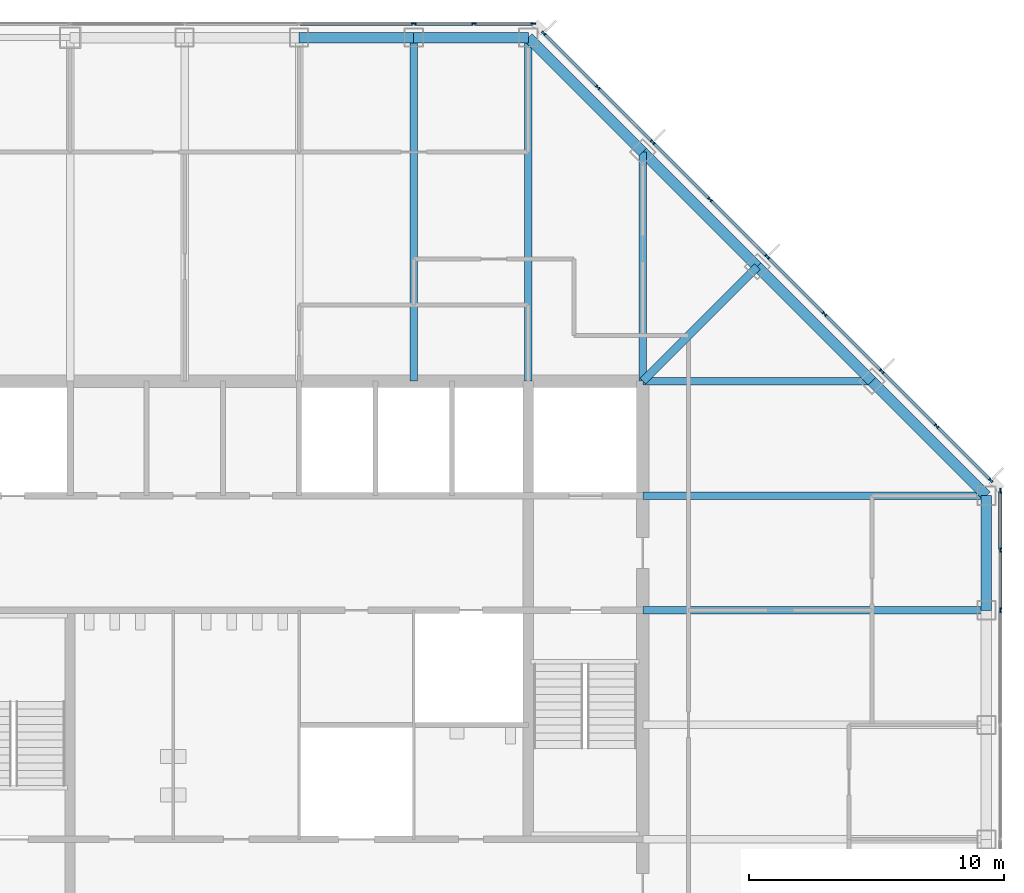
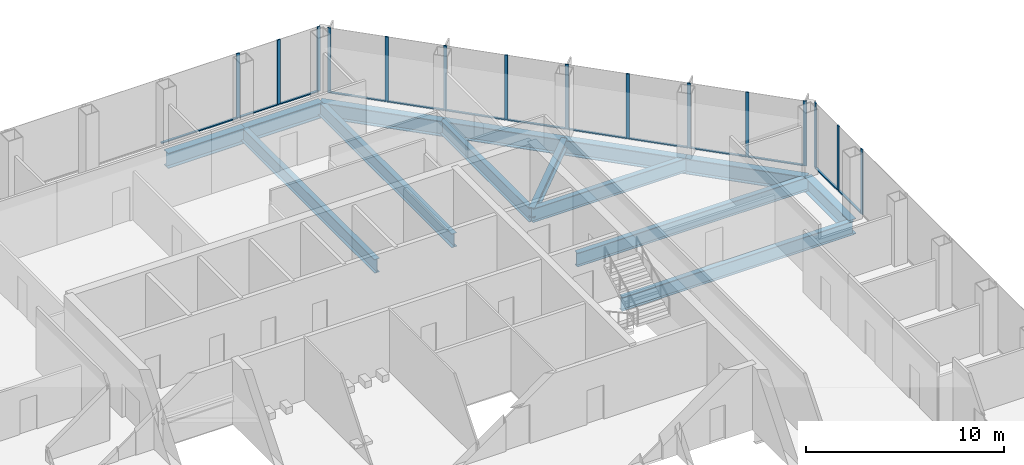
# One storey, part 6 of 13: 28 members, 14 beams, 3 elements without a shape of their own.
"""IFC4 building model written with IfcOpenShell, lengths in metres."""

from ifc_helpers import new_model, si_unit, direction, frame, origin, origin_2d, place, context, subcontext, project, spatial, rectangle, i_section, extrude, material, material_profile, profile_set, type_object, element, aggregate, save


model = new_model("IFC4")

# Units and contexts
model_context = context("Model", 3, precision=1e-05, world=origin(), true_north=direction((0.0, 1.0)))
body_context = subcontext(model_context, "Body", "Model", "MODEL_VIEW")
ifc_project = project(units=[si_unit("LENGTHUNIT", "METRE"), si_unit("AREAUNIT", "SQUARE_METRE"), si_unit("VOLUMEUNIT", "CUBIC_METRE"), si_unit("PLANEANGLEUNIT", "RADIAN"), si_unit("MASSUNIT", "GRAM", prefix="KILO")], contexts=[model_context])

# Site, building, storey
site_placement = place(None, origin())
site = spatial("IfcSite", under=ifc_project, at=site_placement, CompositionType="ELEMENT")
building_placement = place(site_placement, origin())
building = spatial("IfcBuilding", under=site, at=building_placement, Name="Corais Broadcast Tower", CompositionType="ELEMENT")
storey_placement = place(building_placement, frame((0.0, 0.0, 191.60009765625)))
storey = spatial("IfcBuildingStorey", under=building, at=storey_placement, Name="L44", CompositionType="ELEMENT", Elevation=191.60009765625)

# Beams
ifc_material_1 = material(Name="Steel ASTM A572 Grade 50", Category="steel")
ifc_material_profile_1 = material_profile(ifc_material_1, i_section(OverallWidth=0.323974609375, OverallDepth=0.611083984375, WebThickness=0.0126953125, FlangeThickness=0.01904296875, at=origin_2d()), Name="W610x155")
ifc_profile_set_1 = profile_set([ifc_material_profile_1], Name="Steel ASTM A572 Grade 50")
beam_type_1 = type_object("IfcBeamType", Name="Corner diagonal W610x155", PredefinedType="BEAM", material=ifc_profile_set_1)
beam_1_placement = place(storey_placement, frame((45.0, 45.0, -0.465576171875), z_axis=(-0.707106781187, -0.707106781187, 0.0), x_axis=(0.707106781187, -0.707106781187, 0.0)))
element("IfcBeam", 1, at=beam_1_placement, inside=storey, type_object=beam_type_1, Name="B6 L/13 to K/12", PredefinedType="BEAM", context=body_context, shape_type="SweptSolid", body=[
    extrude(i_section(OverallWidth=0.323974609375, OverallDepth=0.611083984375, WebThickness=0.0126953125, FlangeThickness=0.01904296875, at=origin_2d()), origin(), (0.0, 0.0, 1.0), 6.364013671875),
])
ifc_material_2 = material(Name="Steel ASTM A572 Grade 50", Category="steel")
ifc_material_profile_2 = material_profile(ifc_material_2, i_section(OverallWidth=0.2939453125, OverallDepth=0.85107421875, WebThickness=0.01611328125, FlangeThickness=0.02685546875, at=origin_2d()), Name="W840x226")
ifc_profile_set_2 = profile_set([ifc_material_profile_2], Name="Steel ASTM A572 Grade 50")
beam_type_2 = type_object("IfcBeamType", Name="Floor beam W840x226", PredefinedType="BEAM", material=ifc_profile_set_2)
for number, where, z_axis, x_axis, name in (
    (2, (31.5, 54.0, -0.585693359375), (0.0, -1.0, 0.0), (1.0, 0.0, 0.0), "B1 N/10 to K/10"),
    (3, (36.0, 54.0, -0.585693359375), (0.0, -1.0, 0.0), (1.0, 0.0, 0.0), "B1 N/11 to K/11"),
):
    element("IfcBeam", number, at=place(storey_placement, frame(where, z_axis=z_axis, x_axis=x_axis)), inside=storey, type_object=beam_type_2, Name=name, PredefinedType="BEAM", context=body_context, shape_type="SweptSolid", body=[
        extrude(i_section(OverallWidth=0.2939453125, OverallDepth=0.85107421875, WebThickness=0.01611328125, FlangeThickness=0.02685546875, at=origin_2d()), origin(), (0.0, 0.0, 1.0), 13.5),
    ])
for number, where, z_axis, x_axis, name in (
    (4, (40.5, 49.5, -0.585693359375), (0.0, -1.0, 0.0), (1.0, 0.0, 0.0), "B1 M/12 to K/12"),
    (5, (49.5, 40.5, -0.585693359375), (-1.0, 0.0, 0.0), (0.0, -1.0, 0.0), "B1 K/14 to K/12"),
):
    element("IfcBeam", number, at=place(storey_placement, frame(where, z_axis=z_axis, x_axis=x_axis)), inside=storey, type_object=beam_type_2, Name=name, PredefinedType="BEAM", context=body_context, shape_type="SweptSolid", body=[
        extrude(i_section(OverallWidth=0.2939453125, OverallDepth=0.85107421875, WebThickness=0.01611328125, FlangeThickness=0.02685546875, at=origin_2d()), origin(), (0.0, 0.0, 1.0), 9.0),
    ])
for number, where, z_axis, x_axis, name in (
    (6, (54.0, 31.5, -0.585693359375), (-1.0, 0.0, 0.0), (0.0, -1.0, 0.0), "B1 H/15 to H/12"),
    (7, (54.0, 36.0, -0.585693359375), (-1.0, 0.0, 0.0), (0.0, -1.0, 0.0), "B1 J/15 to J/12"),
):
    element("IfcBeam", number, at=place(storey_placement, frame(where, z_axis=z_axis, x_axis=x_axis)), inside=storey, type_object=beam_type_2, Name=name, PredefinedType="BEAM", context=body_context, shape_type="SweptSolid", body=[
        extrude(i_section(OverallWidth=0.2939453125, OverallDepth=0.85107421875, WebThickness=0.01611328125, FlangeThickness=0.02685546875, at=origin_2d()), origin(), (0.0, 0.0, 1.0), 13.5),
    ])

# Curtain wall, members
ifc_material_3 = material(Name="Aluminium and glass", Category="aluminium")
curtain_wall_type = type_object("IfcCurtainWallType", Name="Unitised fritted curtain wall CW2", PredefinedType="NOTDEFINED", material=ifc_material_3)
curtain_wall_1_placement = place(storey_placement, origin())
curtain_wall_1 = element("IfcCurtainWall", 8, at=curtain_wall_1_placement, inside=storey, type_object=curtain_wall_type, Name="CW2 curtain wall L44 4", PredefinedType="NOTDEFINED")
ifc_material_4 = material(Name="Aluminium 6063-T6", Category="aluminium")
ifc_material_profile_3 = material_profile(ifc_material_4, rectangle(XDim=0.06494140625, YDim=0.179931640625, at=origin_2d()), Name="Mullion CW2 65x180")
ifc_profile_set_3 = profile_set([ifc_material_profile_3], Name="Aluminium 6063-T6")
member_type_1 = type_object("IfcMemberType", Name="Mullion CW2 65x180", PredefinedType="MULLION", material=ifc_profile_set_3)
member_1_placement = place(storey_placement, frame((31.5, 54.550048828125, 0.0), z_axis=(0.0, 0.0, 1.0), x_axis=(0.0, 1.0, 0.0)))
member_1 = element("IfcMember", 9, at=member_1_placement, type_object=member_type_1, Name="CW2 mullion 7", PredefinedType="MULLION", context=body_context, shape_type="SweptSolid", body=[
    extrude(rectangle(XDim=0.06494140625, YDim=0.179931640625, at=origin_2d()), origin(), (0.0, 0.0, 1.0), 4.0),
])
member_2_placement = place(storey_placement, frame((33.864013671875, 54.550048828125, 0.0), z_axis=(0.0, 0.0, 1.0), x_axis=(0.0, 1.0, 0.0)))
member_2 = element("IfcMember", 10, at=member_2_placement, type_object=member_type_1, Name="CW2 mullion 8", PredefinedType="MULLION", context=body_context, shape_type="SweptSolid", body=[
    extrude(rectangle(XDim=0.06494140625, YDim=0.179931640625, at=origin_2d()), origin(), (0.0, 0.0, 1.0), 4.0),
])
member_3_placement = place(storey_placement, frame((36.1953125, 54.550048828125, 0.0), z_axis=(0.0, 0.0, 1.0), x_axis=(0.0, 1.0, 0.0)))
member_3 = element("IfcMember", 11, at=member_3_placement, type_object=member_type_1, Name="CW2 mullion 9", PredefinedType="MULLION", context=body_context, shape_type="SweptSolid", body=[
    extrude(rectangle(XDim=0.06494140625, YDim=0.179931640625, at=origin_2d()), origin(), (0.0, 0.0, 1.0), 4.0),
])

curtain_wall_2_placement = place(storey_placement, origin())
curtain_wall_2 = element("IfcCurtainWall", 12, at=curtain_wall_2_placement, inside=storey, type_object=curtain_wall_type, Name="CW2 curtain wall L44 5", PredefinedType="NOTDEFINED")
member_4_placement = place(storey_placement, frame((36.6044921875, 54.17333984375, 0.0), z_axis=(0.0, 0.0, 1.0), x_axis=(0.707106781187, 0.707106781187, 0.0)))
member_4 = element("IfcMember", 13, at=member_4_placement, type_object=member_type_1, Name="CW2 mullion 1", PredefinedType="MULLION", context=body_context, shape_type="SweptSolid", body=[
    extrude(rectangle(XDim=0.06494140625, YDim=0.179931640625, at=origin_2d()), origin(), (0.0, 0.0, 1.0), 4.0),
])
member_5_placement = place(storey_placement, frame((38.735107421875, 52.042724609375, 0.0), z_axis=(0.0, 0.0, 1.0), x_axis=(0.707106781187, 0.707106781187, 0.0)))
member_5 = element("IfcMember", 14, at=member_5_placement, type_object=member_type_1, Name="CW2 mullion 2", PredefinedType="MULLION", context=body_context, shape_type="SweptSolid", body=[
    extrude(rectangle(XDim=0.06494140625, YDim=0.179931640625, at=origin_2d()), origin(), (0.0, 0.0, 1.0), 4.0),
])
member_6_placement = place(storey_placement, frame((40.888916015625, 49.888916015625, 0.0), z_axis=(0.0, 0.0, 1.0), x_axis=(0.707106781187, 0.707106781187, 0.0)))
member_6 = element("IfcMember", 15, at=member_6_placement, type_object=member_type_1, Name="CW2 mullion 3", PredefinedType="MULLION", context=body_context, shape_type="SweptSolid", body=[
    extrude(rectangle(XDim=0.06494140625, YDim=0.179931640625, at=origin_2d()), origin(), (0.0, 0.0, 1.0), 4.0),
])
member_7_placement = place(storey_placement, frame((43.138916015625, 47.638916015625, 0.0), z_axis=(0.0, 0.0, 1.0), x_axis=(0.707106781187, 0.707106781187, 0.0)))
member_7 = element("IfcMember", 16, at=member_7_placement, type_object=member_type_1, Name="CW2 mullion 4", PredefinedType="MULLION", context=body_context, shape_type="SweptSolid", body=[
    extrude(rectangle(XDim=0.06494140625, YDim=0.179931640625, at=origin_2d()), origin(), (0.0, 0.0, 1.0), 4.0),
])
member_8_placement = place(storey_placement, frame((45.388916015625, 45.388916015625, 0.0), z_axis=(0.0, 0.0, 1.0), x_axis=(0.707106781187, 0.707106781187, 0.0)))
member_8 = element("IfcMember", 17, at=member_8_placement, type_object=member_type_1, Name="CW2 mullion 5", PredefinedType="MULLION", context=body_context, shape_type="SweptSolid", body=[
    extrude(rectangle(XDim=0.06494140625, YDim=0.179931640625, at=origin_2d()), origin(), (0.0, 0.0, 1.0), 4.0),
])
member_9_placement = place(storey_placement, frame((47.638916015625, 43.138916015625, 0.0), z_axis=(0.0, 0.0, 1.0), x_axis=(0.707106781187, 0.707106781187, 0.0)))
member_9 = element("IfcMember", 18, at=member_9_placement, type_object=member_type_1, Name="CW2 mullion 6", PredefinedType="MULLION", context=body_context, shape_type="SweptSolid", body=[
    extrude(rectangle(XDim=0.06494140625, YDim=0.179931640625, at=origin_2d()), origin(), (0.0, 0.0, 1.0), 4.0),
])
member_10_placement = place(storey_placement, frame((49.888916015625, 40.888916015625, 0.0), z_axis=(0.0, 0.0, 1.0), x_axis=(0.707106781187, 0.707106781187, 0.0)))
member_10 = element("IfcMember", 19, at=member_10_placement, type_object=member_type_1, Name="CW2 mullion 7", PredefinedType="MULLION", context=body_context, shape_type="SweptSolid", body=[
    extrude(rectangle(XDim=0.06494140625, YDim=0.179931640625, at=origin_2d()), origin(), (0.0, 0.0, 1.0), 4.0),
])
member_11_placement = place(storey_placement, frame((52.042724609375, 38.735107421875, 0.0), z_axis=(0.0, 0.0, 1.0), x_axis=(0.707106781187, 0.707106781187, 0.0)))
member_11 = element("IfcMember", 20, at=member_11_placement, type_object=member_type_1, Name="CW2 mullion 8", PredefinedType="MULLION", context=body_context, shape_type="SweptSolid", body=[
    extrude(rectangle(XDim=0.06494140625, YDim=0.179931640625, at=origin_2d()), origin(), (0.0, 0.0, 1.0), 4.0),
])
member_12_placement = place(storey_placement, frame((54.17333984375, 36.6044921875, 0.0), z_axis=(0.0, 0.0, 1.0), x_axis=(0.707106781187, 0.707106781187, 0.0)))
member_12 = element("IfcMember", 21, at=member_12_placement, type_object=member_type_1, Name="CW2 mullion 9", PredefinedType="MULLION", context=body_context, shape_type="SweptSolid", body=[
    extrude(rectangle(XDim=0.06494140625, YDim=0.179931640625, at=origin_2d()), origin(), (0.0, 0.0, 1.0), 4.0),
])

curtain_wall_3_placement = place(storey_placement, origin())
curtain_wall_3 = element("IfcCurtainWall", 22, at=curtain_wall_3_placement, inside=storey, type_object=curtain_wall_type, Name="CW2 curtain wall L44 6", PredefinedType="NOTDEFINED")
member_13_placement = place(storey_placement, frame((54.550048828125, 36.1953125, 0.0), z_axis=(0.0, 0.0, 1.0), x_axis=(1.0, 0.0, 0.0)))
member_13 = element("IfcMember", 23, at=member_13_placement, type_object=member_type_1, Name="CW2 mullion 1", PredefinedType="MULLION", context=body_context, shape_type="SweptSolid", body=[
    extrude(rectangle(XDim=0.06494140625, YDim=0.179931640625, at=origin_2d()), origin(), (0.0, 0.0, 1.0), 4.0),
])
member_14_placement = place(storey_placement, frame((54.550048828125, 33.864013671875, 0.0), z_axis=(0.0, 0.0, 1.0), x_axis=(1.0, 0.0, 0.0)))
member_14 = element("IfcMember", 24, at=member_14_placement, type_object=member_type_1, Name="CW2 mullion 2", PredefinedType="MULLION", context=body_context, shape_type="SweptSolid", body=[
    extrude(rectangle(XDim=0.06494140625, YDim=0.179931640625, at=origin_2d()), origin(), (0.0, 0.0, 1.0), 4.0),
])
member_15_placement = place(storey_placement, frame((54.550048828125, 31.5, 0.0), z_axis=(0.0, 0.0, 1.0), x_axis=(1.0, 0.0, 0.0)))
member_15 = element("IfcMember", 25, at=member_15_placement, type_object=member_type_1, Name="CW2 mullion 3", PredefinedType="MULLION", context=body_context, shape_type="SweptSolid", body=[
    extrude(rectangle(XDim=0.06494140625, YDim=0.179931640625, at=origin_2d()), origin(), (0.0, 0.0, 1.0), 4.0),
])

# Beams
ifc_material_5 = material(Name="Steel ASTM A572 Grade 50", Category="steel")
ifc_material_profile_4 = material_profile(ifc_material_5, i_section(OverallWidth=0.4189453125, OverallDepth=0.94189453125, WebThickness=0.022216796875, FlangeThickness=0.03662109375, at=origin_2d()), Name="W920x345")
ifc_profile_set_4 = profile_set([ifc_material_profile_4], Name="Steel ASTM A572 Grade 50")
beam_type_3 = type_object("IfcBeamType", Name="Transfer spandrel W920x345", PredefinedType="BEAM", material=ifc_profile_set_4)
for number, where, z_axis, x_axis, name in (
    (26, (31.5, 54.0, -0.631103515625), (-1.0, 0.0, 0.0), (0.0, -1.0, 0.0), "SB4 N/10 to N/9"),
    (27, (36.0, 54.0, -0.631103515625), (-1.0, 0.0, 0.0), (0.0, -1.0, 0.0), "SB4 N/11 to N/10"),
):
    element("IfcBeam", number, at=place(storey_placement, frame(where, z_axis=z_axis, x_axis=x_axis)), inside=storey, type_object=beam_type_3, Name=name, PredefinedType="BEAM", context=body_context, shape_type="SweptSolid", body=[
        extrude(i_section(OverallWidth=0.4189453125, OverallDepth=0.94189453125, WebThickness=0.022216796875, FlangeThickness=0.03662109375, at=origin_2d()), origin(), (0.0, 0.0, 1.0), 4.5),
    ])
for number, where, z_axis, x_axis, name in (
    (28, (40.5, 49.5, -0.631103515625), (-0.707106781187, 0.707106781187, 0.0), (-0.707106781187, -0.707106781187, 0.0), "SB4 M/12 to N/11"),
    (29, (45.0, 45.0, -0.631103515625), (-0.707106781187, 0.707106781187, 0.0), (-0.707106781187, -0.707106781187, 0.0), "SB4 L/13 to M/12"),
    (30, (49.5, 40.5, -0.631103515625), (-0.707106781187, 0.707106781187, 0.0), (-0.707106781187, -0.707106781187, 0.0), "SB4 K/14 to L/13"),
):
    element("IfcBeam", number, at=place(storey_placement, frame(where, z_axis=z_axis, x_axis=x_axis)), inside=storey, type_object=beam_type_3, Name=name, PredefinedType="BEAM", context=body_context, shape_type="SweptSolid", body=[
        extrude(i_section(OverallWidth=0.4189453125, OverallDepth=0.94189453125, WebThickness=0.022216796875, FlangeThickness=0.03662109375, at=origin_2d()), origin(), (0.0, 0.0, 1.0), 6.364013671875),
    ])
beam_2_placement = place(storey_placement, frame((54.0, 31.5, -0.631103515625), z_axis=(0.0, 1.0, 0.0), x_axis=(-1.0, 0.0, 0.0)))
element("IfcBeam", 31, at=beam_2_placement, inside=storey, type_object=beam_type_3, Name="SB4 H/15 to J/15", PredefinedType="BEAM", context=body_context, shape_type="SweptSolid", body=[
    extrude(i_section(OverallWidth=0.4189453125, OverallDepth=0.94189453125, WebThickness=0.022216796875, FlangeThickness=0.03662109375, at=origin_2d()), origin(), (0.0, 0.0, 1.0), 4.5),
])
beam_3_placement = place(storey_placement, frame((54.0, 36.0, -0.631103515625), z_axis=(-0.707106781187, 0.707106781187, 0.0), x_axis=(-0.707106781187, -0.707106781187, 0.0)))
element("IfcBeam", 32, at=beam_3_placement, inside=storey, type_object=beam_type_3, Name="SB4 J/15 to K/14", PredefinedType="BEAM", context=body_context, shape_type="SweptSolid", body=[
    extrude(i_section(OverallWidth=0.4189453125, OverallDepth=0.94189453125, WebThickness=0.022216796875, FlangeThickness=0.03662109375, at=origin_2d()), origin(), (0.0, 0.0, 1.0), 6.364013671875),
])

# Member
ifc_material_6 = material(Name="Aluminium 6063-T6", Category="aluminium")
ifc_material_profile_5 = material_profile(ifc_material_6, rectangle(XDim=0.1298828125, YDim=0.06494140625, at=origin_2d()), Name="Transom CW2 65x130")
ifc_profile_set_5 = profile_set([ifc_material_profile_5], Name="Aluminium 6063-T6")
member_type_2 = type_object("IfcMemberType", Name="Transom CW2 65x130", PredefinedType="USERDEFINED", material=ifc_profile_set_5)
member_16_placement = place(storey_placement, frame((27.032470703125, 54.550048828125, 0.032470703125), z_axis=(1.0, 0.0, 0.0), x_axis=(0.0, 1.0, 0.0)))
member_16 = element("IfcMember", 33, at=member_16_placement, type_object=member_type_2, Name="CW2 transom 6.1", ObjectType="TRANSOM", PredefinedType="USERDEFINED", context=body_context, shape_type="SweptSolid", body=[
    extrude(rectangle(XDim=0.1298828125, YDim=0.06494140625, at=origin_2d()), origin(), (0.0, 0.0, 1.0), 4.43505859375),
])

member_17_placement = place(storey_placement, frame((31.532470703125, 54.550048828125, 0.032470703125), z_axis=(1.0, 0.0, 0.0), x_axis=(0.0, 1.0, 0.0)))
member_17 = element("IfcMember", 34, at=member_17_placement, type_object=member_type_2, Name="CW2 transom 7.1", ObjectType="TRANSOM", PredefinedType="USERDEFINED", context=body_context, shape_type="SweptSolid", body=[
    extrude(rectangle(XDim=0.1298828125, YDim=0.06494140625, at=origin_2d()), origin(), (0.0, 0.0, 1.0), 2.298828125),
])

member_18_placement = place(storey_placement, frame((33.896484375, 54.550048828125, 0.032470703125), z_axis=(1.0, 0.0, 0.0), x_axis=(0.0, 1.0, 0.0)))
member_18 = element("IfcMember", 35, at=member_18_placement, type_object=member_type_2, Name="CW2 transom 8.1", ObjectType="TRANSOM", PredefinedType="USERDEFINED", context=body_context, shape_type="SweptSolid", body=[
    extrude(rectangle(XDim=0.1298828125, YDim=0.06494140625, at=origin_2d()), origin(), (0.0, 0.0, 1.0), 2.266357421875),
])

aggregate(curtain_wall_1, [member_1, member_2, member_3, member_16, member_17, member_18])

member_19_placement = place(storey_placement, frame((36.62744140625, 54.150390625, 0.032470703125), z_axis=(0.707106781187, -0.707106781187, 0.0), x_axis=(0.707106781187, 0.707106781187, 0.0)))
member_19 = element("IfcMember", 36, at=member_19_placement, type_object=member_type_2, Name="CW2 transom 1.1", ObjectType="TRANSOM", PredefinedType="USERDEFINED", context=body_context, shape_type="SweptSolid", body=[
    extrude(rectangle(XDim=0.1298828125, YDim=0.06494140625, at=origin_2d()), origin(), (0.0, 0.0, 1.0), 2.9482421875),
])

member_20_placement = place(storey_placement, frame((38.758056640625, 52.019775390625, 0.032470703125), z_axis=(0.707106781187, -0.707106781187, 0.0), x_axis=(0.707106781187, 0.707106781187, 0.0)))
member_20 = element("IfcMember", 37, at=member_20_placement, type_object=member_type_2, Name="CW2 transom 2.1", ObjectType="TRANSOM", PredefinedType="USERDEFINED", context=body_context, shape_type="SweptSolid", body=[
    extrude(rectangle(XDim=0.1298828125, YDim=0.06494140625, at=origin_2d()), origin(), (0.0, 0.0, 1.0), 2.98095703125),
])

member_21_placement = place(storey_placement, frame((40.911865234375, 49.865966796875, 0.032470703125), z_axis=(0.707106781187, -0.707106781187, 0.0), x_axis=(0.707106781187, 0.707106781187, 0.0)))
member_21 = element("IfcMember", 38, at=member_21_placement, type_object=member_type_2, Name="CW2 transom 3.1", ObjectType="TRANSOM", PredefinedType="USERDEFINED", context=body_context, shape_type="SweptSolid", body=[
    extrude(rectangle(XDim=0.1298828125, YDim=0.06494140625, at=origin_2d()), origin(), (0.0, 0.0, 1.0), 3.1171875),
])

member_22_placement = place(storey_placement, frame((43.161865234375, 47.615966796875, 0.032470703125), z_axis=(0.707106781187, -0.707106781187, 0.0), x_axis=(0.707106781187, 0.707106781187, 0.0)))
member_22 = element("IfcMember", 39, at=member_22_placement, type_object=member_type_2, Name="CW2 transom 4.1", ObjectType="TRANSOM", PredefinedType="USERDEFINED", context=body_context, shape_type="SweptSolid", body=[
    extrude(rectangle(XDim=0.1298828125, YDim=0.06494140625, at=origin_2d()), origin(), (0.0, 0.0, 1.0), 3.1171875),
])

member_23_placement = place(storey_placement, frame((45.411865234375, 45.365966796875, 0.032470703125), z_axis=(0.707106781187, -0.707106781187, 0.0), x_axis=(0.707106781187, 0.707106781187, 0.0)))
member_23 = element("IfcMember", 40, at=member_23_placement, type_object=member_type_2, Name="CW2 transom 5.1", ObjectType="TRANSOM", PredefinedType="USERDEFINED", context=body_context, shape_type="SweptSolid", body=[
    extrude(rectangle(XDim=0.1298828125, YDim=0.06494140625, at=origin_2d()), origin(), (0.0, 0.0, 1.0), 3.1171875),
])

member_24_placement = place(storey_placement, frame((47.661865234375, 43.115966796875, 0.032470703125), z_axis=(0.707106781187, -0.707106781187, 0.0), x_axis=(0.707106781187, 0.707106781187, 0.0)))
member_24 = element("IfcMember", 41, at=member_24_placement, type_object=member_type_2, Name="CW2 transom 6.1", ObjectType="TRANSOM", PredefinedType="USERDEFINED", context=body_context, shape_type="SweptSolid", body=[
    extrude(rectangle(XDim=0.1298828125, YDim=0.06494140625, at=origin_2d()), origin(), (0.0, 0.0, 1.0), 3.1171875),
])

member_25_placement = place(storey_placement, frame((49.911865234375, 40.865966796875, 0.032470703125), z_axis=(0.707065828661, -0.70714773134, 0.0), x_axis=(0.70714773134, 0.707065828661, 0.0)))
member_25 = element("IfcMember", 42, at=member_25_placement, type_object=member_type_2, Name="CW2 transom 7.1", ObjectType="TRANSOM", PredefinedType="USERDEFINED", context=body_context, shape_type="SweptSolid", body=[
    extrude(rectangle(XDim=0.1298828125, YDim=0.06494140625, at=origin_2d()), origin(), (0.0, 0.0, 1.0), 2.98095703125),
])

member_26_placement = place(storey_placement, frame((52.065673828125, 38.712158203125, 0.032470703125), z_axis=(0.707106781187, -0.707106781187, 0.0), x_axis=(0.707106781187, 0.707106781187, 0.0)))
member_26 = element("IfcMember", 43, at=member_26_placement, type_object=member_type_2, Name="CW2 transom 8.1", ObjectType="TRANSOM", PredefinedType="USERDEFINED", context=body_context, shape_type="SweptSolid", body=[
    extrude(rectangle(XDim=0.1298828125, YDim=0.06494140625, at=origin_2d()), origin(), (0.0, 0.0, 1.0), 2.9482421875),
])

aggregate(curtain_wall_2, [member_4, member_5, member_6, member_7, member_8, member_9, member_10, member_11, member_12, member_19, member_20, member_21, member_22, member_23, member_24, member_25, member_26])

member_27_placement = place(storey_placement, frame((54.550048828125, 36.162841796875, 0.032470703125), z_axis=(0.0, -1.0, 0.0), x_axis=(1.0, 0.0, 0.0)))
member_27 = element("IfcMember", 44, at=member_27_placement, type_object=member_type_2, Name="CW2 transom 1.1", ObjectType="TRANSOM", PredefinedType="USERDEFINED", context=body_context, shape_type="SweptSolid", body=[
    extrude(rectangle(XDim=0.1298828125, YDim=0.06494140625, at=origin_2d()), origin(), (0.0, 0.0, 1.0), 2.266357421875),
])

member_28_placement = place(storey_placement, frame((54.550048828125, 33.831298828125, 0.032470703125), z_axis=(0.0, -1.0, 0.0), x_axis=(1.0, 0.0, 0.0)))
member_28 = element("IfcMember", 45, at=member_28_placement, type_object=member_type_2, Name="CW2 transom 2.1", ObjectType="TRANSOM", PredefinedType="USERDEFINED", context=body_context, shape_type="SweptSolid", body=[
    extrude(rectangle(XDim=0.1298828125, YDim=0.06494140625, at=origin_2d()), origin(), (0.0, 0.0, 1.0), 2.298828125),
])

aggregate(curtain_wall_3, [member_13, member_14, member_15, member_27, member_28])

save(model, "model.ifc")
